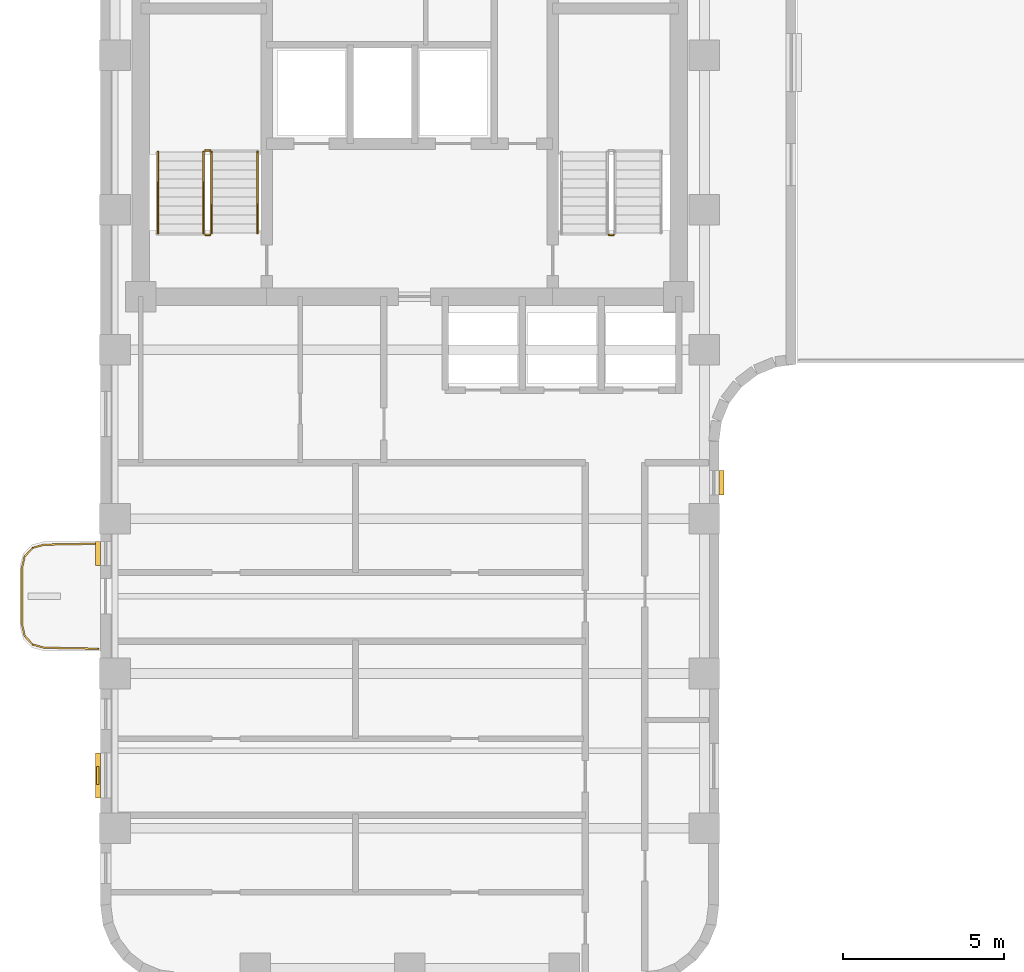
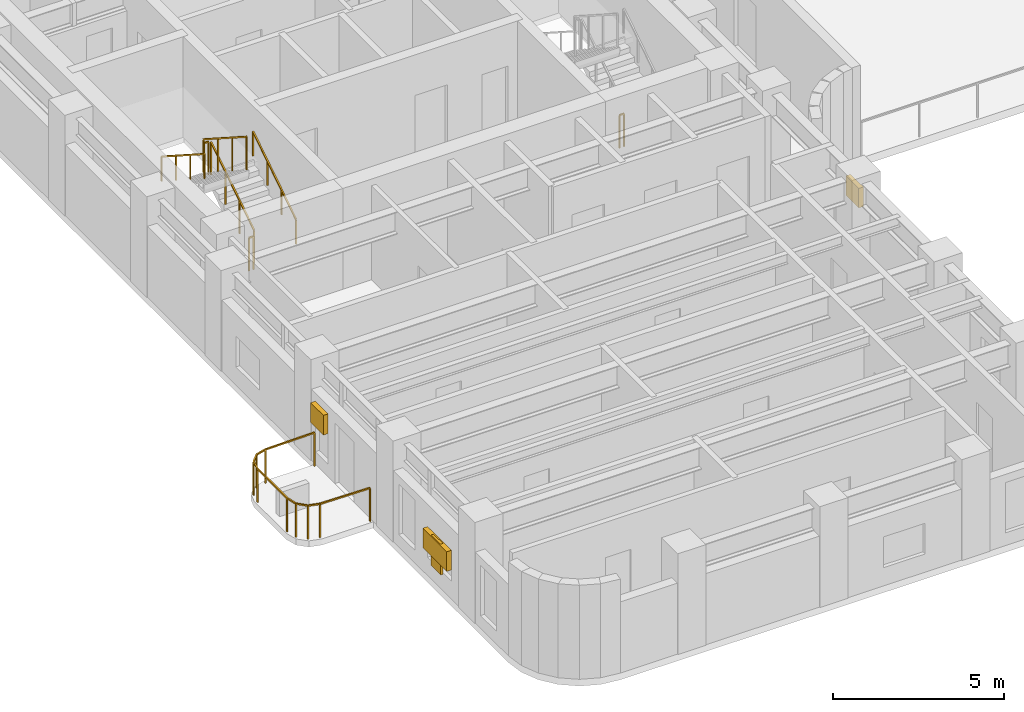
# One storey, part 7 of 9: 8 railings, 4 shading devices.
"""IFC4 building model written with IfcOpenShell, lengths in metres."""

from ifc_helpers import new_model, si_unit, direction, frame, origin, origin_2d, place, context, subcontext, project, spatial, rectangle, extrude, material, type_object, element, save


model = new_model("IFC4")

# Units and contexts
model_context = context("Model", 3, precision=1e-05, world=origin(), true_north=direction((0.0, 1.0)))
body_context = subcontext(model_context, "Body", "Model", "MODEL_VIEW")
ifc_project = project(units=[si_unit("LENGTHUNIT", "METRE"), si_unit("AREAUNIT", "SQUARE_METRE"), si_unit("VOLUMEUNIT", "CUBIC_METRE"), si_unit("PLANEANGLEUNIT", "RADIAN"), si_unit("MASSUNIT", "GRAM", prefix="KILO")], contexts=[model_context])

# Site, building, storey
site_placement = place(None, origin())
site = spatial("IfcSite", under=ifc_project, at=site_placement, CompositionType="ELEMENT")
building_placement = place(site_placement, origin())
building = spatial("IfcBuilding", under=site, at=building_placement, Name="Orvandelia Arch Residences", CompositionType="ELEMENT")
storey_placement = place(building_placement, frame((0.0, 0.0, 154.0)))
storey = spatial("IfcBuildingStorey", under=building, at=storey_placement, Name="L40", CompositionType="ELEMENT", Elevation=154.0)

# Railings
ifc_material_1 = material(Name="Marine-Grade Stainless Steel 316", Category="steel")
railing_type_1 = type_object("IfcRailingType", Name="GRD-BAL-1200", PredefinedType="BALUSTRADE", material=ifc_material_1)
railing_1_placement = place(storey_placement, frame((4.728271484375, 23.23046875, 0.0)))
element("IfcRailing", 1, at=railing_1_placement, inside=storey, type_object=railing_type_1, Name="Safety Balustrade Guard GRD-L40-BAL-L40-W1-1", PredefinedType="BALUSTRADE", context=body_context, shape_type="SweptSolid", body=[
    extrude(rectangle(XDim=0.048095703125, YDim=0.048095703125, at=origin_2d()), frame((0.0, 0.0, 1.19580078125), z_axis=(-0.999834751713, -0.018178813668, 0.0), x_axis=(0.018178813668, -0.999834751713, 0.0)), (0.0, 0.0, 1.0), 1.6787109375),
    extrude(rectangle(XDim=0.048095703125, YDim=0.048095703125, at=origin_2d()), frame((-1.678466796875, -0.030517578125, 1.19580078125), z_axis=(-0.96348920644, -0.267747173792, 0.0), x_axis=(0.267747173792, -0.96348920644, 0.0)), (0.0, 0.0, 1.0), 0.36572265625),
    extrude(rectangle(XDim=0.048095703125, YDim=0.048095703125, at=origin_2d()), frame((-2.03076171875, -0.12841796875, 1.19580078125), z_axis=(-0.688627404251, -0.725115368831, 0.0), x_axis=(0.725115368831, -0.688627404251, 0.0)), (0.0, 0.0, 1.0), 0.367919921875),
    extrude(rectangle(XDim=0.048095703125, YDim=0.048095703125, at=origin_2d()), frame((-2.2841796875, -0.395263671875, 1.19580078125), z_axis=(-0.220461657419, -0.975395641577, 0.0), x_axis=(0.975395641577, -0.220461657419, 0.0)), (0.0, 0.0, 1.0), 0.373291015625),
    extrude(rectangle(XDim=0.048095703125, YDim=0.048095703125, at=origin_2d()), frame((-2.366455078125, -0.75927734375, 1.19580078125), z_axis=(0.0, -1.0, 0.0), x_axis=(1.0, 0.0, 0.0)), (0.0, 0.0, 1.0), 1.742431640625),
    extrude(rectangle(XDim=0.048095703125, YDim=0.048095703125, at=origin_2d()), frame((-2.366455078125, -2.501708984375, 1.19580078125), z_axis=(0.220602419982, -0.975363815352, 0.0), x_axis=(0.975363815352, 0.220602419982, 0.0)), (0.0, 0.0, 1.0), 0.373046875),
    extrude(rectangle(XDim=0.048095703125, YDim=0.048095703125, at=origin_2d()), frame((-2.2841796875, -2.865478515625, 1.19580078125), z_axis=(0.688296224633, -0.725429739642, 0.0), x_axis=(0.725429739642, 0.688296224633, 0.0)), (0.0, 0.0, 1.0), 0.3681640625),
    extrude(rectangle(XDim=0.048095703125, YDim=0.048095703125, at=origin_2d()), frame((-2.03076171875, -3.132568359375, 1.19580078125), z_axis=(0.96348920644, -0.267747173792, 0.0), x_axis=(0.267747173792, 0.96348920644, 0.0)), (0.0, 0.0, 1.0), 0.36572265625),
    extrude(rectangle(XDim=0.048095703125, YDim=0.048095703125, at=origin_2d()), frame((-1.678466796875, -3.23046875, 1.19580078125), z_axis=(0.999834751713, -0.018178813668, 0.0), x_axis=(0.018178813668, 0.999834751713, 0.0)), (0.0, 0.0, 1.0), 1.6787109375),
    extrude(rectangle(XDim=0.0419921875, YDim=0.0419921875, at=origin_2d()), origin(), (0.0, 0.0, 1.0), 1.171875),
    extrude(rectangle(XDim=0.0419921875, YDim=0.0419921875, at=origin_2d()), frame((-1.678466796875, -0.030517578125, 0.0)), (0.0, 0.0, 1.0), 1.171875),
    extrude(rectangle(XDim=0.0419921875, YDim=0.0419921875, at=origin_2d()), frame((-2.03076171875, -0.12841796875, 0.0)), (0.0, 0.0, 1.0), 1.171875),
    extrude(rectangle(XDim=0.0419921875, YDim=0.0419921875, at=origin_2d()), frame((-2.2841796875, -0.395263671875, 0.0)), (0.0, 0.0, 1.0), 1.171875),
    extrude(rectangle(XDim=0.0419921875, YDim=0.0419921875, at=origin_2d()), frame((-2.366455078125, -0.75927734375, 0.0)), (0.0, 0.0, 1.0), 1.171875),
    extrude(rectangle(XDim=0.0419921875, YDim=0.0419921875, at=origin_2d()), frame((-2.366455078125, -2.501708984375, 0.0)), (0.0, 0.0, 1.0), 1.171875),
    extrude(rectangle(XDim=0.0419921875, YDim=0.0419921875, at=origin_2d()), frame((-2.2841796875, -2.865478515625, 0.0)), (0.0, 0.0, 1.0), 1.171875),
    extrude(rectangle(XDim=0.0419921875, YDim=0.0419921875, at=origin_2d()), frame((-2.03076171875, -3.132568359375, 0.0)), (0.0, 0.0, 1.0), 1.171875),
    extrude(rectangle(XDim=0.0419921875, YDim=0.0419921875, at=origin_2d()), frame((-1.678466796875, -3.23046875, 0.0)), (0.0, 0.0, 1.0), 1.171875),
    extrude(rectangle(XDim=0.0419921875, YDim=0.0419921875, at=origin_2d()), frame((0.0, -3.260986328125, 0.0)), (0.0, 0.0, 1.0), 1.171875),
])
ifc_material_2 = material(Name="Brushed Stainless Steel 304", Category="steel")
railing_type_2 = type_object("IfcRailingType", Name="RL-STAIR-GD1120", PredefinedType="GUARDRAIL", material=ifc_material_2)
railing_2_placement = place(storey_placement, frame((8.25, 32.8701171875, 0.179931640625)))
element("IfcRailing", 2, at=railing_2_placement, inside=storey, type_object=railing_type_2, Name="L40 ST-1 stair guard 1", PredefinedType="GUARDRAIL", context=body_context, shape_type="SweptSolid", body=[
    extrude(rectangle(XDim=0.048095703125, YDim=0.048095703125, at=origin_2d()), frame((0.0, 0.0, 1.17578125), z_axis=(0.0, 0.841138753965, 0.540819375188), x_axis=(-1.0, 0.0, 0.0)), (0.0, 0.0, 1.0), 2.99560546875),
    extrude(rectangle(XDim=0.0419921875, YDim=0.0419921875, at=origin_2d()), origin(), (0.0, 0.0, 1.0), 1.15185546875),
    extrude(rectangle(XDim=0.0419921875, YDim=0.0419921875, at=origin_2d()), frame((0.0, 0.83984375, 0.5400390625)), (0.0, 0.0, 1.0), 1.15185546875),
    extrude(rectangle(XDim=0.0419921875, YDim=0.0419921875, at=origin_2d()), frame((0.0, 1.679931640625, 1.080078125)), (0.0, 0.0, 1.0), 1.15185546875),
    extrude(rectangle(XDim=0.0419921875, YDim=0.0419921875, at=origin_2d()), frame((0.0, 2.519775390625, 1.6201171875)), (0.0, 0.0, 1.0), 1.15185546875),
])
railing_3_placement = place(storey_placement, frame((8.199951171875, 35.43994140625, 1.800048828125)))
element("IfcRailing", 3, at=railing_3_placement, inside=storey, type_object=railing_type_2, Name="L40 ST-1 stair guard 2", PredefinedType="GUARDRAIL", context=body_context, shape_type="SweptSolid", body=[
    extrude(rectangle(XDim=0.048095703125, YDim=0.048095703125, at=origin_2d()), frame((0.0, 0.0, 1.17578125), z_axis=(-1.0, 0.0, 0.0), x_axis=(0.0, -1.0, 0.0)), (0.0, 0.0, 1.0), 0.14990234375),
    extrude(rectangle(XDim=0.0419921875, YDim=0.0419921875, at=origin_2d()), origin(), (0.0, 0.0, 1.0), 1.15185546875),
    extrude(rectangle(XDim=0.0419921875, YDim=0.0419921875, at=origin_2d()), frame((-0.14990234375, 0.0, 0.0)), (0.0, 0.0, 1.0), 1.15185546875),
])
railing_4_placement = place(storey_placement, frame((8.0, 35.389892578125, 1.97998046875)))
element("IfcRailing", 4, at=railing_4_placement, inside=storey, type_object=railing_type_2, Name="L40 ST-1 stair guard 3", PredefinedType="GUARDRAIL", context=body_context, shape_type="SweptSolid", body=[
    extrude(rectangle(XDim=0.048095703125, YDim=0.048095703125, at=origin_2d()), frame((0.0, 0.0, 1.17578125), z_axis=(0.0, -0.841138753965, 0.540819375188), x_axis=(1.0, 0.0, 0.0)), (0.0, 0.0, 1.0), 2.99560546875),
    extrude(rectangle(XDim=0.0419921875, YDim=0.0419921875, at=origin_2d()), origin(), (0.0, 0.0, 1.0), 1.15185546875),
    extrude(rectangle(XDim=0.0419921875, YDim=0.0419921875, at=origin_2d()), frame((0.0, -0.83984375, 0.5400390625)), (0.0, 0.0, 1.0), 1.15185546875),
    extrude(rectangle(XDim=0.0419921875, YDim=0.0419921875, at=origin_2d()), frame((0.0, -1.679931640625, 1.080078125)), (0.0, 0.0, 1.0), 1.15185546875),
    extrude(rectangle(XDim=0.0419921875, YDim=0.0419921875, at=origin_2d()), frame((0.0, -2.519775390625, 1.6201171875)), (0.0, 0.0, 1.0), 1.15185546875),
])
for number, where, name in (
    (5, (8.199951171875, 32.820068359375, 0.0), "L40 ST-1 stair guard 4"),
    (6, (20.72998046875, 32.820068359375, 0.0), "L40 ST-2 stair guard 4"),
):
    element("IfcRailing", number, at=place(storey_placement, frame(where)), inside=storey, type_object=railing_type_2, Name=name, PredefinedType="GUARDRAIL", context=body_context, shape_type="SweptSolid", body=[
        extrude(rectangle(XDim=0.048095703125, YDim=0.048095703125, at=origin_2d()), frame((0.0, 0.0, 1.17578125), z_axis=(-1.0, 0.0, 0.0), x_axis=(0.0, -1.0, 0.0)), (0.0, 0.0, 1.0), 0.14990234375),
        extrude(rectangle(XDim=0.0419921875, YDim=0.0419921875, at=origin_2d()), origin(), (0.0, 0.0, 1.0), 1.15185546875),
        extrude(rectangle(XDim=0.0419921875, YDim=0.0419921875, at=origin_2d()), frame((-0.14990234375, 0.0, 0.0)), (0.0, 0.0, 1.0), 1.15185546875),
    ])
railing_type_3 = type_object("IfcRailingType", Name="RL-STAIR-HR920", PredefinedType="HANDRAIL", material=ifc_material_2)
railing_5_placement = place(storey_placement, frame((9.669921875, 32.8701171875, 0.360107421875)))
element("IfcRailing", 7, at=railing_5_placement, inside=storey, type_object=railing_type_3, Name="L40 ST-1 stair handrail 1", PredefinedType="HANDRAIL", context=body_context, shape_type="SweptSolid", body=[
    extrude(rectangle(XDim=0.048095703125, YDim=0.048095703125, at=origin_2d()), frame((0.0, 0.0, 0.8759765625), z_axis=(0.0, 0.841175827307, 0.540761710511), x_axis=(-1.0, 0.0, 0.0)), (0.0, 0.0, 1.0), 2.99560546875),
    extrude(rectangle(XDim=0.0419921875, YDim=0.0419921875, at=origin_2d()), origin(), (0.0, 0.0, 1.0), 0.851806640625),
    extrude(rectangle(XDim=0.0419921875, YDim=0.0419921875, at=origin_2d()), frame((0.0, 0.83984375, 0.5400390625)), (0.0, 0.0, 1.0), 0.851806640625),
    extrude(rectangle(XDim=0.0419921875, YDim=0.0419921875, at=origin_2d()), frame((0.0, 1.679931640625, 1.079833984375)), (0.0, 0.0, 1.0), 0.851806640625),
    extrude(rectangle(XDim=0.0419921875, YDim=0.0419921875, at=origin_2d()), frame((0.0, 2.519775390625, 1.619873046875)), (0.0, 0.0, 1.0), 0.851806640625),
])
railing_6_placement = place(storey_placement, frame((6.580078125, 35.389892578125, 2.159912109375)))
element("IfcRailing", 8, at=railing_6_placement, inside=storey, type_object=railing_type_3, Name="L40 ST-1 stair handrail 2", PredefinedType="HANDRAIL", context=body_context, shape_type="SweptSolid", body=[
    extrude(rectangle(XDim=0.048095703125, YDim=0.048095703125, at=origin_2d()), frame((0.0, 0.0, 0.8759765625), z_axis=(0.0, -0.841138753965, 0.540819375188), x_axis=(1.0, 0.0, 0.0)), (0.0, 0.0, 1.0), 2.99560546875),
    extrude(rectangle(XDim=0.0419921875, YDim=0.0419921875, at=origin_2d()), origin(), (0.0, 0.0, 1.0), 0.851806640625),
    extrude(rectangle(XDim=0.0419921875, YDim=0.0419921875, at=origin_2d()), frame((0.0, -0.83984375, 0.5400390625)), (0.0, 0.0, 1.0), 0.851806640625),
    extrude(rectangle(XDim=0.0419921875, YDim=0.0419921875, at=origin_2d()), frame((0.0, -1.679931640625, 1.080078125)), (0.0, 0.0, 1.0), 0.851806640625),
    extrude(rectangle(XDim=0.0419921875, YDim=0.0419921875, at=origin_2d()), frame((0.0, -2.519775390625, 1.6201171875)), (0.0, 0.0, 1.0), 0.851806640625),
])

# Shading devices
ifc_material_3 = material(Name="Anodised Champagne-Bronze Extruded Aluminium", Category="aluminium")
shading_device_type_1 = type_object("IfcShadingDeviceType", Name="SHD-JALOUSIE-SCREEN", PredefinedType="JALOUSIE", material=ifc_material_3)
shading_device_1_placement = place(storey_placement, frame((24.080078125, 25.12255859375, 1.5498046875), z_axis=(0.0, 0.0, 1.0), x_axis=(0.0, -1.0, 0.0)))
element("IfcShadingDevice", 9, at=shading_device_1_placement, inside=storey, type_object=shading_device_type_1, Name="Bronze Jalousie Sun-Shade L40-005", PredefinedType="JALOUSIE", context=body_context, shape_type="SweptSolid", body=[
    extrude(rectangle(XDim=0.75, YDim=0.159912109375, at=origin_2d()), origin(), (0.0, 0.0, 1.0), 0.699951171875),
])
shading_device_2_placement = place(storey_placement, frame((4.719970703125, 16.035400390625, 1.0498046875), z_axis=(0.0, 0.0, 1.0), x_axis=(0.0, 1.0, 0.0)))
element("IfcShadingDevice", 10, at=shading_device_2_placement, inside=storey, type_object=shading_device_type_1, Name="Bronze Jalousie Sun-Shade L40-006", PredefinedType="JALOUSIE", context=body_context, shape_type="SweptSolid", body=[
    extrude(rectangle(XDim=1.39990234375, YDim=0.159912109375, at=origin_2d()), origin(), (0.0, 0.0, 1.0), 0.699951171875),
])
shading_device_3_placement = place(storey_placement, frame((4.719970703125, 22.922607421875, 1.5498046875), z_axis=(0.0, 0.0, 1.0), x_axis=(0.0, 1.0, 0.0)))
element("IfcShadingDevice", 11, at=shading_device_3_placement, inside=storey, type_object=shading_device_type_1, Name="Bronze Jalousie Sun-Shade L40-007", PredefinedType="JALOUSIE", context=body_context, shape_type="SweptSolid", body=[
    extrude(rectangle(XDim=0.75, YDim=0.159912109375, at=origin_2d()), origin(), (0.0, 0.0, 1.0), 0.699951171875),
])
ifc_material_4 = material(Name="Marine-Grade Perforated Aluminium Storm Shutter", Category="aluminium")
shading_device_type_2 = type_object("IfcShadingDeviceType", Name="SHD-STORM-SHUTTER", PredefinedType="SHUTTER", material=ifc_material_4)
shading_device_4_placement = place(storey_placement, frame((4.719970703125, 16.035400390625, 0.64990234375), z_axis=(0.0, 0.0, 1.0), x_axis=(0.0, 1.0, 0.0)))
element("IfcShadingDevice", 12, at=shading_device_4_placement, inside=storey, type_object=shading_device_type_2, Name="Operable Typhoon Storm Shutter L40-006", PredefinedType="SHUTTER", context=body_context, shape_type="SweptSolid", body=[
    extrude(rectangle(XDim=0.550048828125, YDim=0.080078125, at=origin_2d()), origin(), (0.0, 0.0, 1.0), 1.10009765625),
])

save(model, "model.ifc")
